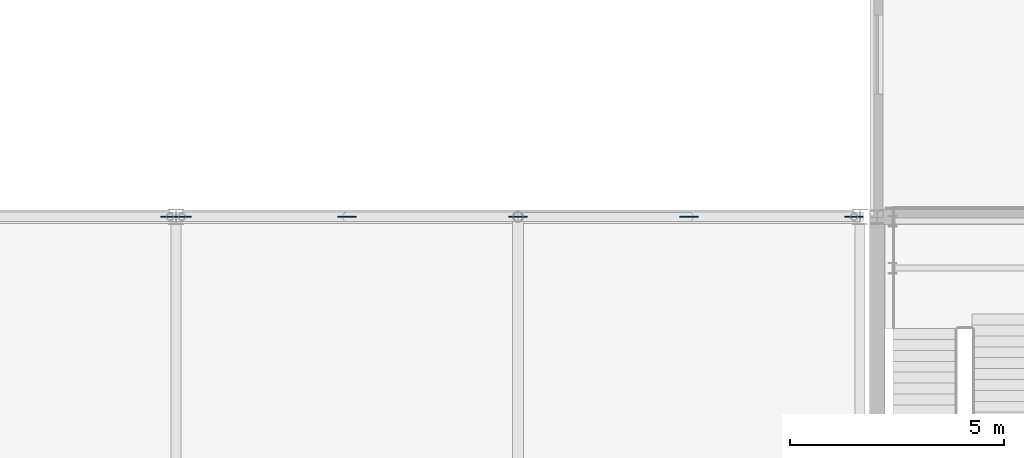
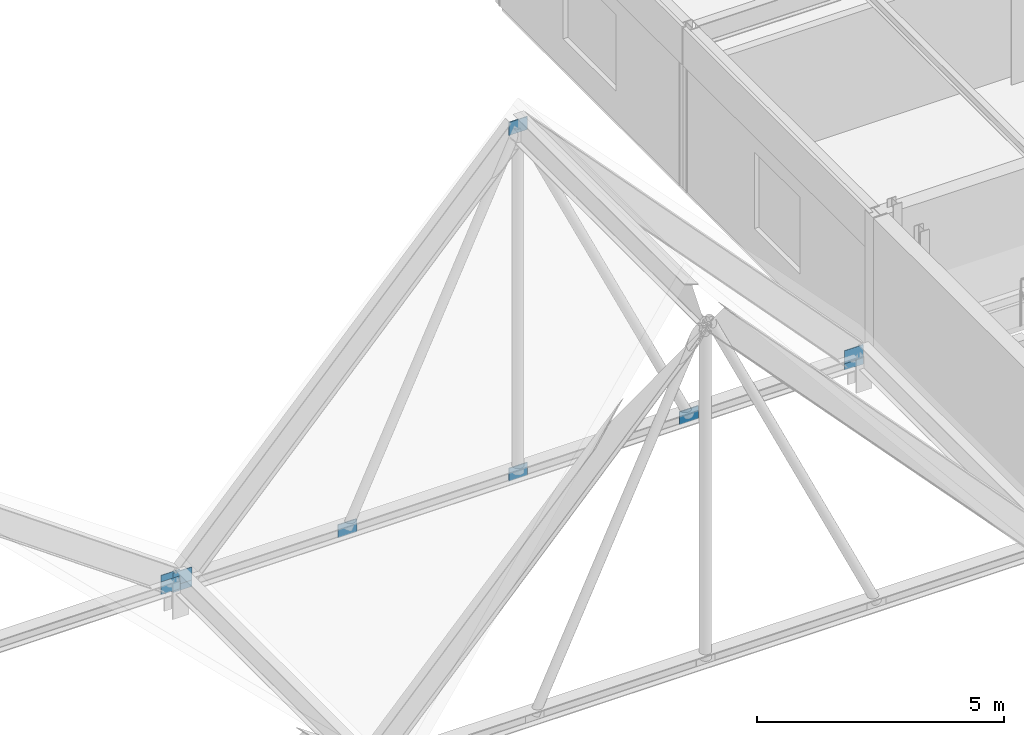
# One storey, part 68 of 85: 10 plates.
"""IFC4 building model written with IfcOpenShell, lengths in metres."""

from ifc_helpers import new_model, si_unit, direction, frame, origin, origin_2d, place, context, subcontext, project, spatial, rectangle, extrude, material, layer, layer_set, type_object, element, save


model = new_model("IFC4")

# Units and contexts
model_context = context("Model", 3, precision=1e-05, world=origin(), true_north=direction((0.0, 1.0)))
body_context = subcontext(model_context, "Body", "Model", "MODEL_VIEW")
ifc_project = project(units=[si_unit("LENGTHUNIT", "METRE"), si_unit("AREAUNIT", "SQUARE_METRE"), si_unit("VOLUMEUNIT", "CUBIC_METRE"), si_unit("PLANEANGLEUNIT", "RADIAN"), si_unit("MASSUNIT", "GRAM", prefix="KILO")], contexts=[model_context])

# Site, building, storey
site_placement = place(None, origin())
site = spatial("IfcSite", under=ifc_project, at=site_placement, CompositionType="ELEMENT")
building_placement = place(site_placement, origin())
building = spatial("IfcBuilding", under=site, at=building_placement, Name="Zulena Civic Courthouse", CompositionType="ELEMENT")
storey_placement = place(building_placement, frame((0.0, 0.0, 25.199951171875)))
storey = spatial("IfcBuildingStorey", under=building, at=storey_placement, Name="L05", CompositionType="ELEMENT", Elevation=25.199951171875)

# Plates
ifc_material = material(Name="Steel ASTM A572 Grade 50", Category="steel")
ifc_layer = layer(ifc_material, 0.02490234375)
ifc_layer_set = layer_set([ifc_layer], Name="Steel ASTM A572 Grade 50")
plate_type = type_object("IfcPlateType", Name="GussetPlate_440x320x25", PredefinedType="SHEET", material=ifc_layer_set)
for number, where, z_axis, x_axis, name in (
    (1, (107.860107421875, 38.0, 0.37646484375), (0.0, 0.0, 1.0), (1.0, 0.0, 0.0), "plate:fd:postE:03:38.0:0"),
    (2, (107.860107421875, 38.0, 0.53662109375), (0.0, 0.0, 1.0), (1.0, 0.0, 0.0), "plate:fd:postE:03:38.0:1"),
    (3, (108.139892578125, 38.0, 0.33642578125), (0.0, 0.0, 1.0), (1.0, 0.0, 0.0), "plate:fd:postW:04:38.0:0"),
    (4, (108.139892578125, 38.0, 0.49609375), (0.0, 0.0, 1.0), (1.0, 0.0, 0.0), "plate:fd:postW:04:38.0:1"),
    (5, (123.860107421875, 38.0, 0.33642578125), (0.0, 0.0, 1.0), (1.0, 0.0, 0.0), "plate:fd:postE:04:38.0:0"),
    (6, (123.860107421875, 38.0, 0.49609375), (0.0, 0.0, 1.0), (1.0, 0.0, 0.0), "plate:fd:postE:04:38.0:1"),
    (7, (116.0, 38.0, 0.33642578125), (0.0, 0.0, 1.0), (1.0, 0.0, 0.0), "plate:fd:king:04:38.0:0"),
    (8, (116.0, 38.0, 8.896484375), (0.0, 0.0, 1.0), (1.0, 0.0, 0.0), "plate:fd:king:04:38.0:1"),
    (9, (112.0, 38.0, 0.33642578125), (0.0, 0.0, 1.0), (1.0, 0.0, 0.0), "plate:fd:diagW:04:38.0:0"),
    (10, (120.0, 38.0, 0.33642578125), (0.0, 0.0, 1.0), (1.0, 0.0, 0.0), "plate:fd:diagE:04:38.0:0"),
):
    element("IfcPlate", number, at=place(storey_placement, frame(where, z_axis=z_axis, x_axis=x_axis)), inside=storey, type_object=plate_type, Name=name, PredefinedType="SHEET", context=body_context, shape_type="SweptSolid", body=[
        extrude(rectangle(XDim=0.43994140625, YDim=0.02490234375, at=origin_2d()), origin(), (0.0, 0.0, 1.0), 0.320068359375),
    ])

save(model, "model.ifc")
